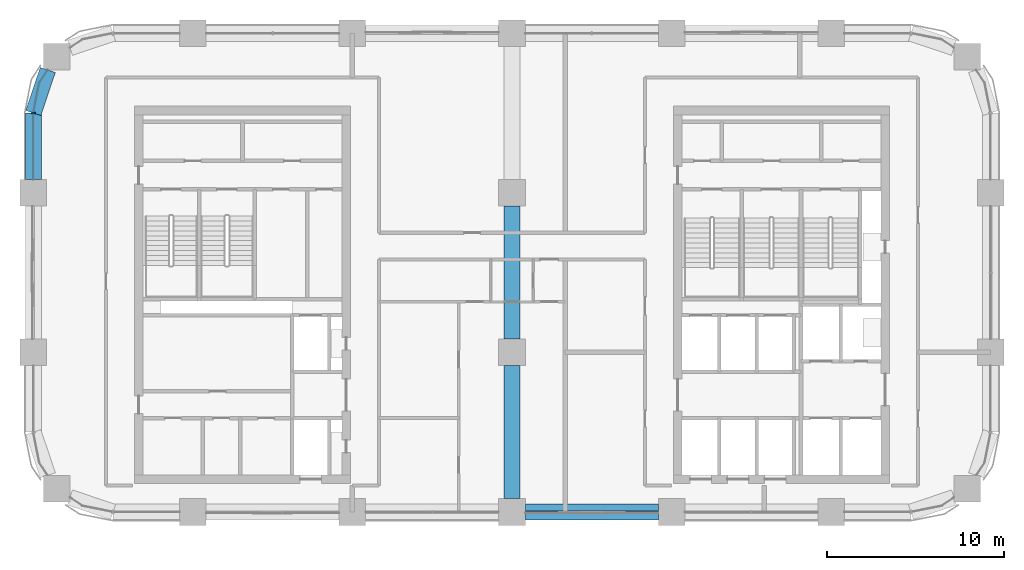
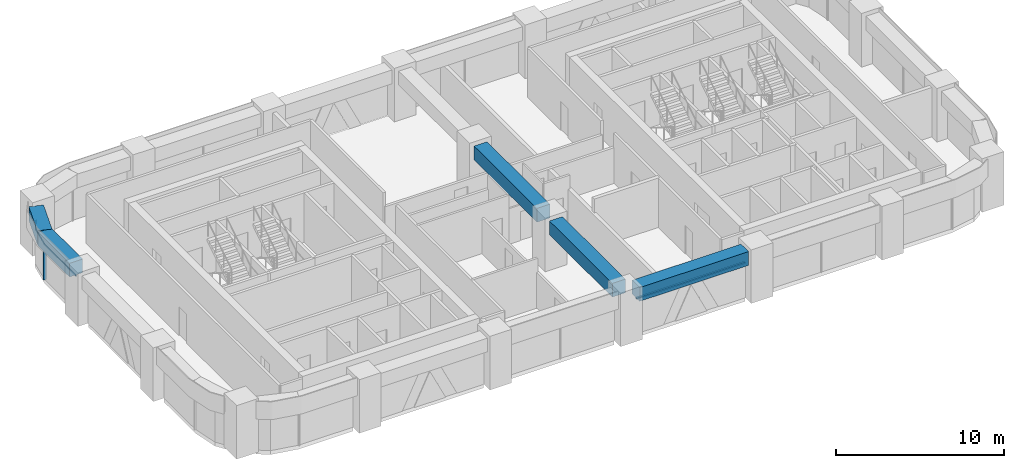
# One storey, part 3 of 18: 5 beams, 3 members, 2 elements without a shape of their own.
"""IFC4 building model written with IfcOpenShell, lengths in metres."""

from ifc_helpers import new_model, si_unit, direction, frame, origin, origin_2d, place, context, subcontext, project, spatial, polyline, rectangle, outline, extrude, material, material_profile, profile_set, type_object, element, aggregate, save


model = new_model("IFC4")

# Units and contexts
model_context = context("Model", 3, precision=1e-05, world=origin(), true_north=direction((0.0, 1.0)))
body_context = subcontext(model_context, "Body", "Model", "MODEL_VIEW")
ifc_project = project(units=[si_unit("LENGTHUNIT", "METRE"), si_unit("AREAUNIT", "SQUARE_METRE"), si_unit("VOLUMEUNIT", "CUBIC_METRE"), si_unit("PLANEANGLEUNIT", "RADIAN"), si_unit("MASSUNIT", "GRAM", prefix="KILO")], contexts=[model_context])

# Site, building, storey
site_placement = place(None, origin())
site = spatial("IfcSite", under=ifc_project, at=site_placement, CompositionType="ELEMENT")
building_placement = place(site_placement, origin())
building = spatial("IfcBuilding", under=site, at=building_placement, Name="Tessera Arch", CompositionType="ELEMENT")
storey_placement = place(building_placement, frame((0.0, 0.0, 154.39990234375)))
storey = spatial("IfcBuildingStorey", under=building, at=storey_placement, Name="L36", CompositionType="ELEMENT", Elevation=154.39990234375)

# Curtain wall, members
ifc_material_1 = material(Name="CW2 curtain wall")
curtain_wall_type_1 = type_object("IfcCurtainWallType", Name="CW2 curtain wall", PredefinedType="NOTDEFINED", material=ifc_material_1)
curtain_wall_1_placement = place(storey_placement, origin())
curtain_wall_1 = element("IfcCurtainWall", 1, at=curtain_wall_1_placement, inside=storey, type_object=curtain_wall_type_1, Name="CW2 curtain wall W0.27/0 L36", PredefinedType="NOTDEFINED")
ifc_material_2 = material(Name="Anodised aluminium pale metal", Category="aluminium")
ifc_material_profile_1 = material_profile(ifc_material_2, rectangle(XDim=0.199951171875, YDim=0.080078125, at=origin_2d()), Name="AL 80x200")
ifc_profile_set_1 = profile_set([ifc_material_profile_1], Name="Anodised aluminium pale metal")
member_type_1 = type_object("IfcMemberType", Name="CW2 mullion", PredefinedType="MULLION", material=ifc_profile_set_1)
member_1_placement = place(storey_placement, frame((0.0, 49.5, 0.0), z_axis=(0.0, 0.0, 1.0), x_axis=(1.0, 0.0, 0.0)))
member_1 = element("IfcMember", 2, at=member_1_placement, type_object=member_type_1, Name="CW2 mullion W0.27/0 1", PredefinedType="MULLION", context=body_context, shape_type="SweptSolid", body=[
    extrude(rectangle(XDim=0.199951171875, YDim=0.080078125, at=origin_2d()), origin(), (0.0, 0.0, 1.0), 2.5),
])
ifc_material_3 = material(Name="Anodised aluminium pale metal", Category="aluminium")
ifc_material_profile_2 = material_profile(ifc_material_3, rectangle(XDim=0.199951171875, YDim=0.10009765625, at=origin_2d()), Name="AL 200x100")
ifc_profile_set_2 = profile_set([ifc_material_profile_2], Name="Anodised aluminium pale metal")
member_type_2 = type_object("IfcMemberType", Name="CW2 transom", PredefinedType="USERDEFINED", material=ifc_profile_set_2)
member_2_placement = place(storey_placement, frame((0.0, 0.0, 2.5)))
member_2 = element("IfcMember", 3, at=member_2_placement, type_object=member_type_2, Name="CW2 transom W0.27/0 1", ObjectType="TRANSOM", PredefinedType="USERDEFINED", context=body_context, shape_type="SweptSolid", body=[
    extrude(outline(polyline([(0.351806640625, 51.21826171875), (0.8251953125, 51.926513671875), (0.80859375, 51.9375), (0.3330078125, 51.22607421875), (-0.010009765625, 49.5009765625), (-0.010009765625, 45.75), (0.010009765625, 45.75), (0.010009765625, 49.4990234375), (0.351806640625, 51.21826171875)])), origin(), (0.0, 0.0, 1.0), 0.10009765625),
])
aggregate(curtain_wall_1, [member_1, member_2])

# Curtain wall, member
ifc_material_4 = material(Name="CW3 curtain wall")
curtain_wall_type_2 = type_object("IfcCurtainWallType", Name="CW3 curtain wall", PredefinedType="NOTDEFINED", material=ifc_material_4)
curtain_wall_2_placement = place(storey_placement, origin())
curtain_wall_2 = element("IfcCurtainWall", 4, at=curtain_wall_2_placement, inside=storey, type_object=curtain_wall_type_2, Name="CW3 curtain wall S27.0/3 L36", PredefinedType="NOTDEFINED")
ifc_material_5 = material(Name="Anodised aluminium pale metal", Category="aluminium")
ifc_material_profile_3 = material_profile(ifc_material_5, rectangle(XDim=0.139892578125, YDim=0.10009765625, at=origin_2d()), Name="AL 140x100")
ifc_profile_set_3 = profile_set([ifc_material_profile_3], Name="Anodised aluminium pale metal")
member_type_3 = type_object("IfcMemberType", Name="CW3 transom", PredefinedType="USERDEFINED", material=ifc_profile_set_3)
member_3_placement = place(storey_placement, frame((27.75, 27.0, 2.550048828125), z_axis=(1.0, 0.0, 0.0), x_axis=(0.0, 1.0, 0.0)))
member_3 = element("IfcMember", 5, at=member_3_placement, type_object=member_type_3, Name="CW3 transom S27.0/3 1.1", ObjectType="TRANSOM", PredefinedType="USERDEFINED", context=body_context, shape_type="SweptSolid", body=[
    extrude(rectangle(XDim=0.139892578125, YDim=0.10009765625, at=origin_2d()), origin(), (0.0, 0.0, 1.0), 7.5),
])
aggregate(curtain_wall_2, [member_3])

# Beams
ifc_material_6 = material(Name="Concrete C70/85", Category="concrete")
ifc_material_profile_4 = material_profile(ifc_material_6, rectangle(XDim=0.89990234375, YDim=1.0, at=origin_2d()), Name="RC spandrel beam 900 x 1000 Concrete C70/85")
ifc_profile_set_4 = profile_set([ifc_material_profile_4], Name="Concrete C70/85")
beam_type = type_object("IfcBeamType", Name="RC spandrel beam 900 x 1000 Concrete C70/85", PredefinedType="BEAM", material=ifc_profile_set_4)
beam_1_placement = place(storey_placement, frame((0.81689453125, 51.931884765625, 3.10009765625), z_axis=(-0.31842525032, -0.947947973234, 0.0), x_axis=(0.947947973234, -0.31842525032, 0.0)))
element("IfcBeam", 6, at=beam_1_placement, inside=storey, type_object=beam_type, Name="Spandrel beam L36 W0.27/0.1", PredefinedType="BEAM", context=body_context, shape_type="SweptSolid", body=[
    extrude(rectangle(XDim=0.89990234375, YDim=1.0, at=origin_2d()), origin(), (0.0, 0.0, 1.0), 2.5654296875),
])
beam_2_placement = place(storey_placement, frame((0.0, 49.5, 3.10009765625), z_axis=(0.0, -1.0, 0.0), x_axis=(1.0, 0.0, 0.0)))
element("IfcBeam", 7, at=beam_2_placement, inside=storey, type_object=beam_type, Name="Spandrel beam L36 W0.27/0.2", PredefinedType="BEAM", context=body_context, shape_type="SweptSolid", body=[
    extrude(rectangle(XDim=0.89990234375, YDim=1.0, at=origin_2d()), origin(), (0.0, 0.0, 1.0), 3.75),
])
for number, where, z_axis, x_axis, name in (
    (8, (27.75, 27.0, 3.10009765625), (1.0, 0.0, 0.0), (0.0, 1.0, 0.0), "Spandrel beam L36 S27.0/3"),
    (9, (27.0, 27.75, 3.10009765625), (0.0, 1.0, 0.0), (-1.0, 0.0, 0.0), "Interface beam L36 I0C4D-C4E"),
    (10, (27.0, 36.75, 3.10009765625), (0.0, 1.0, 0.0), (-1.0, 0.0, 0.0), "Interface beam L36 I0C4E-C4F"),
):
    element("IfcBeam", number, at=place(storey_placement, frame(where, z_axis=z_axis, x_axis=x_axis)), inside=storey, type_object=beam_type, Name=name, PredefinedType="BEAM", context=body_context, shape_type="SweptSolid", body=[
        extrude(rectangle(XDim=0.89990234375, YDim=1.0, at=origin_2d()), origin(), (0.0, 0.0, 1.0), 7.5),
    ])

save(model, "model.ifc")
